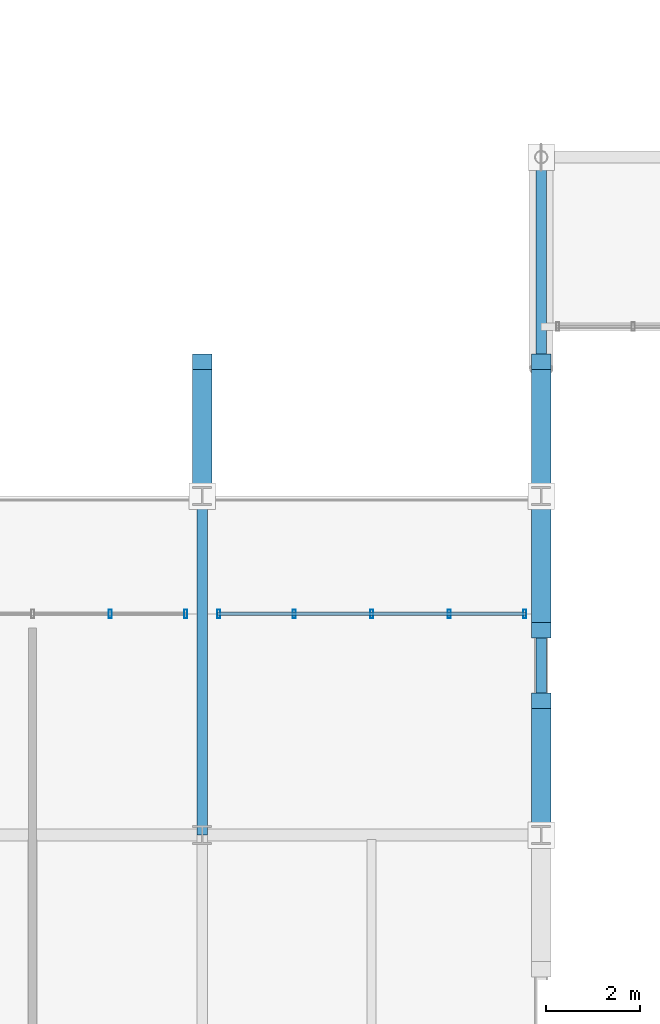
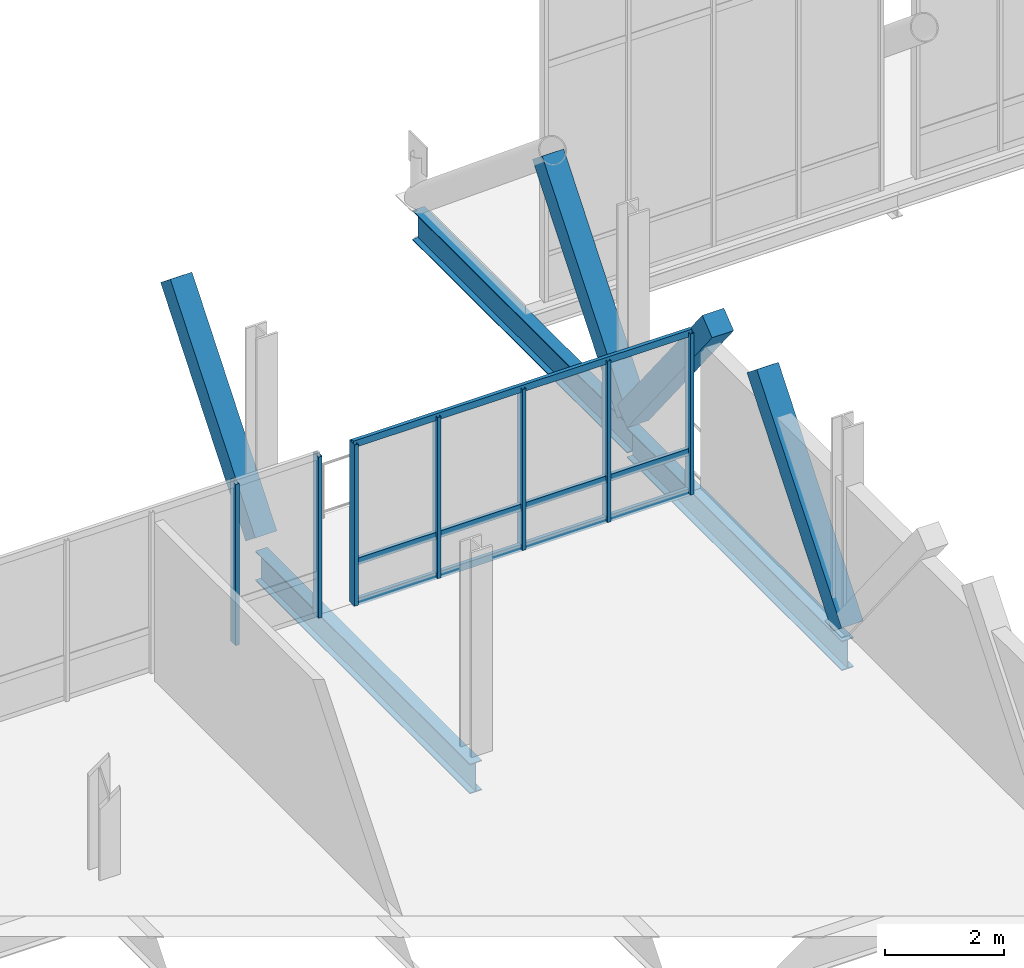
# One storey, part 39 of 102: 14 members, 3 beams, 2 elements without a shape of their own.
"""IFC4 building model written with IfcOpenShell, lengths in metres."""

from ifc_helpers import new_model, si_unit, direction, frame, origin, origin_2d, place, context, subcontext, project, spatial, rectangle, hollow_rectangle, i_section, extrude, material, material_profile, profile_set, type_object, element, aggregate, save


model = new_model("IFC4")

# Units and contexts
model_context = context("Model", 3, precision=1e-05, world=origin(), true_north=direction((0.0, 1.0)))
body_context = subcontext(model_context, "Body", "Model", "MODEL_VIEW")
ifc_project = project(units=[si_unit("LENGTHUNIT", "METRE"), si_unit("AREAUNIT", "SQUARE_METRE"), si_unit("VOLUMEUNIT", "CUBIC_METRE"), si_unit("PLANEANGLEUNIT", "RADIAN"), si_unit("MASSUNIT", "GRAM", prefix="KILO")], contexts=[model_context])

# Site, building, storey
site_placement = place(None, origin())
site = spatial("IfcSite", under=ifc_project, at=site_placement, CompositionType="ELEMENT")
building_placement = place(site_placement, origin())
building = spatial("IfcBuilding", under=site, at=building_placement, Name="Yarey Park Central Fire Station", CompositionType="ELEMENT")
storey_placement = place(building_placement, frame((0.0, 0.0, 6.0)))
storey = spatial("IfcBuildingStorey", under=building, at=storey_placement, Name="L02", CompositionType="ELEMENT", Elevation=6.0)

# Curtain wall, members
ifc_material_1 = material(Name="Anodized Aluminium Frame", Category="aluminium")
curtain_wall_type = type_object("IfcCurtainWallType", Name="ENV_CW_V3_GALN", PredefinedType="NOTDEFINED", material=ifc_material_1)
curtain_wall_1_placement = place(storey_placement, origin())
curtain_wall_1 = element("IfcCurtainWall", 1, at=curtain_wall_1_placement, inside=storey, type_object=curtain_wall_type, Name="CW_L02_V3_N_041", PredefinedType="NOTDEFINED")
ifc_material_profile_1 = material_profile(ifc_material_1, hollow_rectangle(XDim=0.070068359375, YDim=0.179931640625, WallThickness=0.00390625, at=origin_2d()), Name="ALU 180x70x4")
ifc_profile_set_1 = profile_set([ifc_material_profile_1], Name="Anodized Aluminium Frame")
member_type_1 = type_object("IfcMemberType", Name="ENV_CW_MULLION", PredefinedType="MULLION", material=ifc_profile_set_1)
member_1_placement = place(storey_placement, frame((50.050048828125, 83.89990234375, 0.0), z_axis=(0.0, 0.0, 1.0), x_axis=(1.0, 0.0, 0.0)))
member_1 = element("IfcMember", 2, at=member_1_placement, type_object=member_type_1, Name="CW_L02_V3_N_041_MUL1", PredefinedType="MULLION", context=body_context, shape_type="SweptSolid", body=[
    extrude(hollow_rectangle(XDim=0.070068359375, YDim=0.179931640625, WallThickness=0.00390625, at=origin_2d()), origin(), (0.0, 0.0, 1.0), 3.300048828125),
])
member_2_placement = place(storey_placement, frame((48.445068359375, 83.89990234375, 0.0), z_axis=(0.0, 0.0, 1.0), x_axis=(1.0, 0.0, 0.0)))
member_2 = element("IfcMember", 3, at=member_2_placement, type_object=member_type_1, Name="CW_L02_V3_N_041_MUL2", PredefinedType="MULLION", context=body_context, shape_type="SweptSolid", body=[
    extrude(hollow_rectangle(XDim=0.070068359375, YDim=0.179931640625, WallThickness=0.00390625, at=origin_2d()), origin(), (0.0, 0.0, 1.0), 3.300048828125),
])
aggregate(curtain_wall_1, [member_1, member_2])

curtain_wall_2_placement = place(storey_placement, origin())
curtain_wall_2 = element("IfcCurtainWall", 4, at=curtain_wall_2_placement, inside=storey, type_object=curtain_wall_type, Name="CW_L02_V3_N_042", PredefinedType="NOTDEFINED")
member_3_placement = place(storey_placement, frame((57.25, 83.89990234375, 0.0), z_axis=(0.0, 0.0, 1.0), x_axis=(1.0, 0.0, 0.0)))
member_3 = element("IfcMember", 5, at=member_3_placement, type_object=member_type_1, Name="CW_L02_V3_N_042_MUL1", PredefinedType="MULLION", context=body_context, shape_type="SweptSolid", body=[
    extrude(hollow_rectangle(XDim=0.070068359375, YDim=0.179931640625, WallThickness=0.00390625, at=origin_2d()), origin(), (0.0, 0.0, 1.0), 3.300048828125),
])
member_4_placement = place(storey_placement, frame((55.64501953125, 83.89990234375, 0.0), z_axis=(0.0, 0.0, 1.0), x_axis=(1.0, 0.0, 0.0)))
member_4 = element("IfcMember", 6, at=member_4_placement, type_object=member_type_1, Name="CW_L02_V3_N_042_MUL2", PredefinedType="MULLION", context=body_context, shape_type="SweptSolid", body=[
    extrude(hollow_rectangle(XDim=0.070068359375, YDim=0.179931640625, WallThickness=0.00390625, at=origin_2d()), origin(), (0.0, 0.0, 1.0), 3.300048828125),
])
member_5_placement = place(storey_placement, frame((54.0, 83.89990234375, 0.0), z_axis=(0.0, 0.0, 1.0), x_axis=(1.0, 0.0, 0.0)))
member_5 = element("IfcMember", 7, at=member_5_placement, type_object=member_type_1, Name="CW_L02_V3_N_042_MUL3", PredefinedType="MULLION", context=body_context, shape_type="SweptSolid", body=[
    extrude(hollow_rectangle(XDim=0.070068359375, YDim=0.179931640625, WallThickness=0.00390625, at=origin_2d()), origin(), (0.0, 0.0, 1.0), 3.300048828125),
])
member_6_placement = place(storey_placement, frame((52.35498046875, 83.89990234375, 0.0), z_axis=(0.0, 0.0, 1.0), x_axis=(1.0, 0.0, 0.0)))
member_6 = element("IfcMember", 8, at=member_6_placement, type_object=member_type_1, Name="CW_L02_V3_N_042_MUL4", PredefinedType="MULLION", context=body_context, shape_type="SweptSolid", body=[
    extrude(hollow_rectangle(XDim=0.070068359375, YDim=0.179931640625, WallThickness=0.00390625, at=origin_2d()), origin(), (0.0, 0.0, 1.0), 3.300048828125),
])
member_7_placement = place(storey_placement, frame((50.75, 83.89990234375, 0.0), z_axis=(0.0, 0.0, 1.0), x_axis=(1.0, 0.0, 0.0)))
member_7 = element("IfcMember", 9, at=member_7_placement, type_object=member_type_1, Name="CW_L02_V3_N_042_MUL5", PredefinedType="MULLION", context=body_context, shape_type="SweptSolid", body=[
    extrude(hollow_rectangle(XDim=0.070068359375, YDim=0.179931640625, WallThickness=0.00390625, at=origin_2d()), origin(), (0.0, 0.0, 1.0), 3.300048828125),
])
ifc_material_profile_2 = material_profile(ifc_material_1, hollow_rectangle(XDim=0.070068359375, YDim=0.139892578125, WallThickness=0.00390625, at=origin_2d()), Name="ALU 140x70x4")
ifc_profile_set_2 = profile_set([ifc_material_profile_2], Name="Anodized Aluminium Frame")
member_type_2 = type_object("IfcMemberType", Name="ENV_CW_TRANSOM", PredefinedType="USERDEFINED", material=ifc_profile_set_2)
member_8_placement = place(storey_placement, frame((57.27490234375, 83.89990234375, 0.02490234375), z_axis=(-1.0, 0.0, 0.0), x_axis=(0.0, -1.0, 0.0)))
member_8 = element("IfcMember", 10, at=member_8_placement, type_object=member_type_2, Name="CW_L02_V3_N_042_TRN1", ObjectType="TRANSOM", PredefinedType="USERDEFINED", context=body_context, shape_type="SweptSolid", body=[
    extrude(hollow_rectangle(XDim=0.070068359375, YDim=0.139892578125, WallThickness=0.00390625, at=origin_2d()), origin(), (0.0, 0.0, 1.0), 6.5498046875),
])
member_9_placement = place(storey_placement, frame((57.27490234375, 83.89990234375, 0.85009765625), z_axis=(-1.0, 0.0, 0.0), x_axis=(0.0, -1.0, 0.0)))
member_9 = element("IfcMember", 11, at=member_9_placement, type_object=member_type_2, Name="CW_L02_V3_N_042_TRN2", ObjectType="TRANSOM", PredefinedType="USERDEFINED", context=body_context, shape_type="SweptSolid", body=[
    extrude(hollow_rectangle(XDim=0.070068359375, YDim=0.139892578125, WallThickness=0.00390625, at=origin_2d()), origin(), (0.0, 0.0, 1.0), 6.5498046875),
])
member_10_placement = place(storey_placement, frame((57.27490234375, 83.89990234375, 3.27490234375), z_axis=(-1.0, 0.0, 0.0), x_axis=(0.0, -1.0, 0.0)))
member_10 = element("IfcMember", 12, at=member_10_placement, type_object=member_type_2, Name="CW_L02_V3_N_042_TRN3", ObjectType="TRANSOM", PredefinedType="USERDEFINED", context=body_context, shape_type="SweptSolid", body=[
    extrude(hollow_rectangle(XDim=0.070068359375, YDim=0.139892578125, WallThickness=0.00390625, at=origin_2d()), origin(), (0.0, 0.0, 1.0), 6.5498046875),
])
aggregate(curtain_wall_2, [member_3, member_4, member_5, member_6, member_7, member_8, member_9, member_10])

# Beams
ifc_material_2 = material(Name="Steel ASTM A992 Gr. 50", Category="steel")
ifc_material_profile_3 = material_profile(ifc_material_2, i_section(OverallWidth=0.22900390625, OverallDepth=0.612060546875, WebThickness=0.011962890625, FlangeThickness=0.01953125, at=origin_2d()), Name="W610x125")
ifc_profile_set_3 = profile_set([ifc_material_profile_3], Name="Steel ASTM A992 Gr. 50")
beam_type = type_object("IfcBeamType", Name="STR_BM_W610", PredefinedType="BEAM", material=ifc_profile_set_3)
for number, where, z_axis, x_axis, name in (
    (13, (50.39990234375, 79.199951171875, -0.591064453125), (0.0, 1.0, 0.0), (-1.0, 0.0, 0.0), "BMY L02 X504 Y792"),
    (14, (57.60009765625, 79.199951171875, -0.591064453125), (0.0, 1.0, 0.0), (-1.0, 0.0, 0.0), "BMY L02 X576 Y792"),
):
    element("IfcBeam", number, at=place(storey_placement, frame(where, z_axis=z_axis, x_axis=x_axis)), inside=storey, type_object=beam_type, Name=name, PredefinedType="BEAM", context=body_context, shape_type="SweptSolid", body=[
        extrude(i_section(OverallWidth=0.22900390625, OverallDepth=0.612060546875, WebThickness=0.011962890625, FlangeThickness=0.01953125, at=origin_2d()), origin(), (0.0, 0.0, 1.0), 7.199951171875),
    ])
beam_placement = place(storey_placement, frame((57.60009765625, 86.39990234375, -0.5009765625), z_axis=(0.0, 1.0, 0.0), x_axis=(-1.0, 0.0, 0.0)))
element("IfcBeam", 15, at=beam_placement, inside=storey, type_object=beam_type, Name="BMY L02 X576 Y864", PredefinedType="BEAM", context=body_context, shape_type="SweptSolid", body=[
    extrude(i_section(OverallWidth=0.22900390625, OverallDepth=0.612060546875, WebThickness=0.011962890625, FlangeThickness=0.01953125, at=origin_2d()), origin(), (0.0, 0.0, 1.0), 7.2001953125),
])

# Members
ifc_material_3 = material(Name="Glulam GL28h", Category="wood")
ifc_material_profile_4 = material_profile(ifc_material_3, rectangle(XDim=0.419921875, YDim=0.419921875, at=origin_2d()), Name="GL 420x420")
ifc_profile_set_4 = profile_set([ifc_material_profile_4], Name="Glulam GL28h")
member_type_3 = type_object("IfcMemberType", Name="STR_STRUT_GL420", PredefinedType="STRUT", material=ifc_profile_set_4)
for number, where, z_axis, x_axis, name in (
    (16, (50.39990234375, 86.39990234375, -0.02001953125), (0.0, 0.623899588473, 0.781504512785), (-1.0, 0.0, 0.0), "Raked Glulam Strut RGS-06"),
    (17, (57.60009765625, 86.39990234375, -0.02001953125), (0.0, 0.623899588473, 0.781504512785), (-1.0, 0.0, 0.0), "Raked Glulam Strut RGS-07"),
    (18, (57.60009765625, 86.39990234375, -0.02001953125), (0.0, -0.623866946252, 0.781530570979), (1.0, 0.0, 0.0), "Raked Glulam Strut RGS-08"),
    (19, (57.60009765625, 79.199951171875, -0.02001953125), (0.0, 0.623899588473, 0.781504512785), (-1.0, 0.0, 0.0), "Raked Glulam Strut RGS-75"),
):
    element("IfcMember", number, at=place(storey_placement, frame(where, z_axis=z_axis, x_axis=x_axis)), inside=storey, type_object=member_type_3, Name=name, PredefinedType="STRUT", context=body_context, shape_type="SweptSolid", body=[
        extrude(rectangle(XDim=0.419921875, YDim=0.419921875, at=origin_2d()), origin(), (0.0, 0.0, 1.0), 4.568115234375),
    ])

save(model, "model.ifc")
